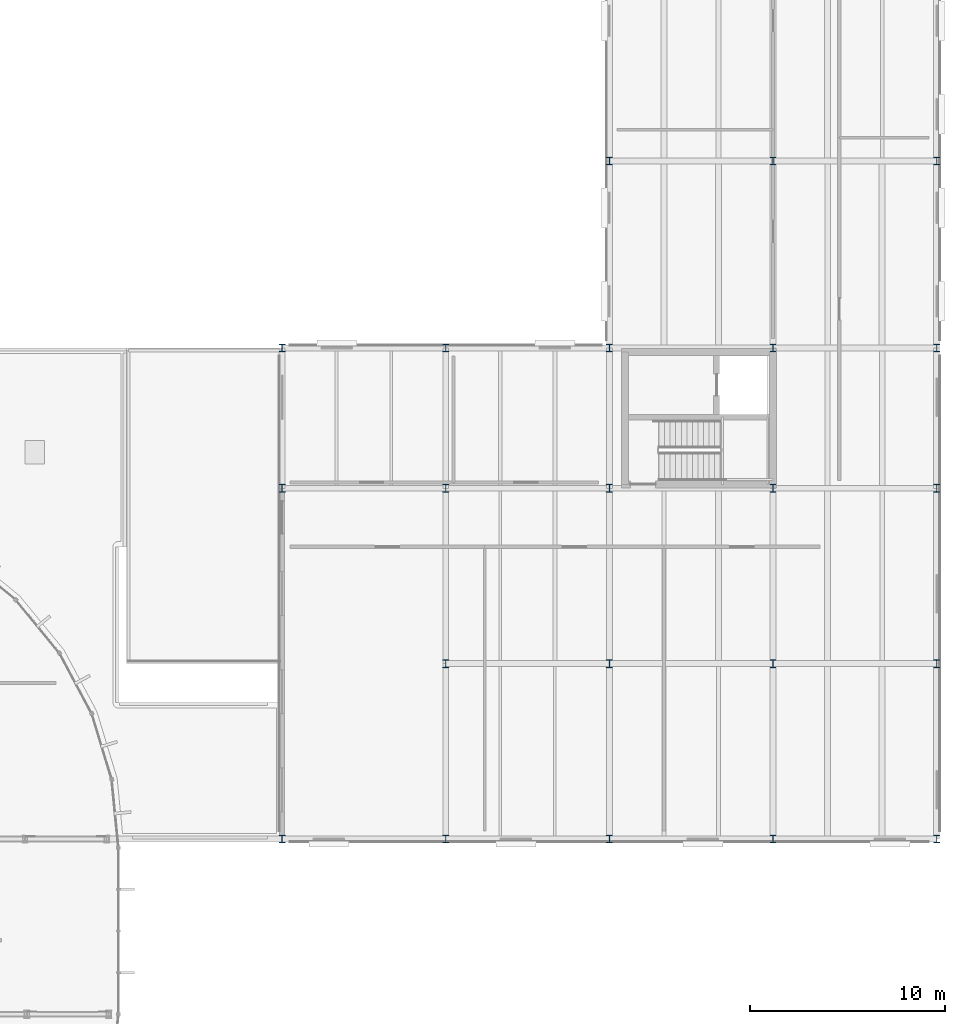
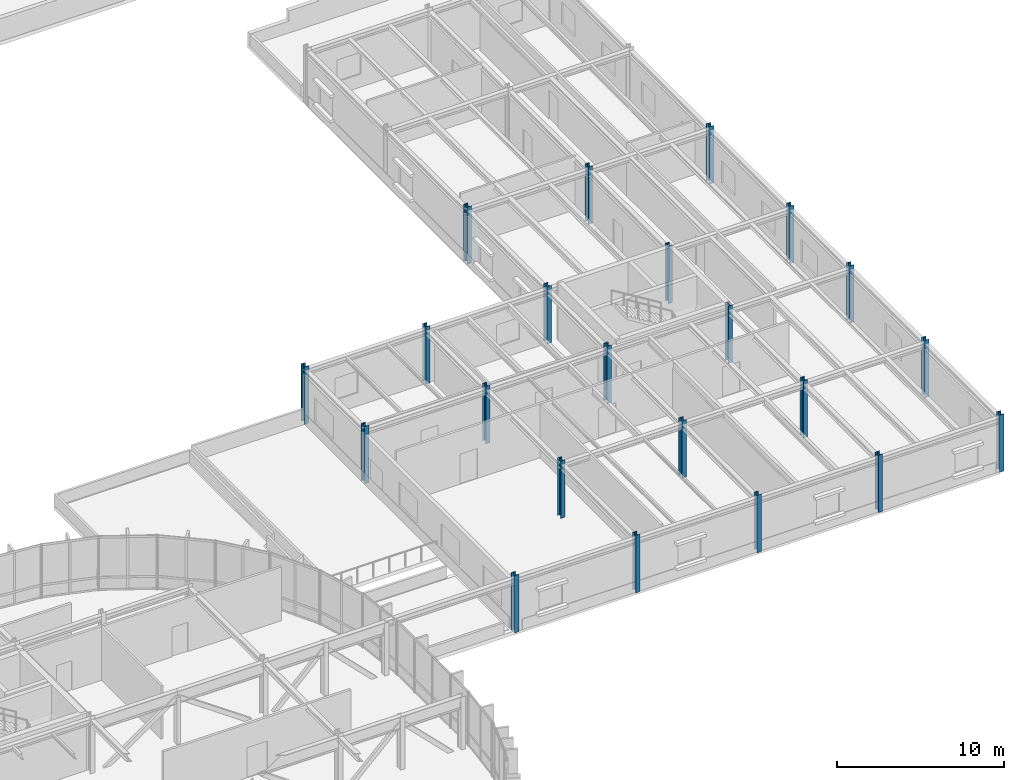
# One storey, part 7 of 69: 22 columns.
"""IFC4 building model written with IfcOpenShell, lengths in metres."""

from ifc_helpers import new_model, si_unit, direction, frame, origin, origin_2d, place, context, subcontext, project, spatial, i_section, extrude, material, material_profile, profile_set, type_object, element, save


model = new_model("IFC4")

# Units and contexts
model_context = context("Model", 3, precision=1e-05, world=origin(), true_north=direction((0.0, 1.0)))
body_context = subcontext(model_context, "Body", "Model", "MODEL_VIEW")
ifc_project = project(units=[si_unit("LENGTHUNIT", "METRE"), si_unit("AREAUNIT", "SQUARE_METRE"), si_unit("VOLUMEUNIT", "CUBIC_METRE"), si_unit("PLANEANGLEUNIT", "RADIAN"), si_unit("MASSUNIT", "GRAM", prefix="KILO")], contexts=[model_context])

# Site, building, storey
site_placement = place(None, origin())
site = spatial("IfcSite", under=ifc_project, at=site_placement, CompositionType="ELEMENT")
building_placement = place(site_placement, origin())
building = spatial("IfcBuilding", under=site, at=building_placement, Name="Montealbar Specialist Clinic", CompositionType="ELEMENT")
storey_placement = place(building_placement, frame((0.0, 0.0, 9.60009765625)))
storey = spatial("IfcBuildingStorey", under=building, at=storey_placement, Name="L02", CompositionType="ELEMENT", Elevation=9.60009765625)

# Columns
ifc_material = material(Name="Steel S355", Category="steel")
ifc_material_profile_1 = material_profile(ifc_material, i_section(OverallWidth=0.300048828125, OverallDepth=0.39990234375, WebThickness=0.013427734375, FlangeThickness=0.02392578125, FilletRadius=0.027099609375, at=origin_2d()), Name="HEB 400", Category="steel")
ifc_profile_set_1 = profile_set([ifc_material_profile_1], Name="Steel S355")
column_type_1 = type_object("IfcColumnType", Name="COL-S-L02-STD", PredefinedType="COLUMN", material=ifc_profile_set_1)
for number, where, z_axis, x_axis, name in (
    (1, (136.800048828125, 36.0, 0.0), (0.0, 0.0, 1.0), (1.0, 0.0, 0.0), "Column 18/E L02"),
    (2, (136.800048828125, 45.0, 0.0), (0.0, 0.0, 1.0), (1.0, 0.0, 0.0), "Column 18/F L02"),
    (3, (145.199951171875, 36.0, 0.0), (0.0, 0.0, 1.0), (1.0, 0.0, 0.0), "Column 19/E L02"),
    (4, (145.199951171875, 45.0, 0.0), (0.0, 0.0, 1.0), (1.0, 0.0, 0.0), "Column 19/F L02"),
    (5, (153.60009765625, 36.0, 0.0), (0.0, 0.0, 1.0), (1.0, 0.0, 0.0), "Column 20/E L02"),
    (6, (153.60009765625, 45.0, 0.0), (0.0, 0.0, 1.0), (1.0, 0.0, 0.0), "Column 20/F L02"),
    (7, (153.60009765625, 52.199951171875, 0.0), (0.0, 0.0, 1.0), (1.0, 0.0, 0.0), "Column 20/G L02"),
    (8, (153.60009765625, 61.800048828125, 0.0), (0.0, 0.0, 1.0), (1.0, 0.0, 0.0), "Column 20/H L02"),
):
    element("IfcColumn", number, at=place(storey_placement, frame(where, z_axis=z_axis, x_axis=x_axis)), inside=storey, type_object=column_type_1, Name=name, PredefinedType="COLUMN", context=body_context, shape_type="SweptSolid", body=[
        extrude(i_section(OverallWidth=0.300048828125, OverallDepth=0.39990234375, WebThickness=0.013427734375, FlangeThickness=0.02392578125, FilletRadius=0.027099609375, at=origin_2d()), origin(), (0.0, 0.0, 1.0), 4.199951171875),
    ])
ifc_material_profile_2 = material_profile(ifc_material, i_section(OverallWidth=0.300048828125, OverallDepth=0.39990234375, WebThickness=0.013427734375, FlangeThickness=0.02392578125, FilletRadius=0.027099609375, at=origin_2d()), Name="HEB 400", Category="steel")
ifc_profile_set_2 = profile_set([ifc_material_profile_2], Name="Steel S355")
column_type_2 = type_object("IfcColumnType", Name="COL-S-L02-STD-EXT", PredefinedType="COLUMN", material=ifc_profile_set_2)
for number, where, z_axis, x_axis, name in (
    (9, (128.39990234375, 27.0, 0.0), (0.0, 0.0, 1.0), (1.0, 0.0, 0.0), "Column 17/D L02"),
    (10, (128.39990234375, 45.0, 0.0), (0.0, 0.0, 1.0), (1.0, 0.0, 0.0), "Column 17/F L02"),
    (11, (128.39990234375, 52.199951171875, 0.0), (0.0, 0.0, 1.0), (1.0, 0.0, 0.0), "Column 17/G L02"),
    (12, (136.800048828125, 27.0, 0.0), (0.0, 0.0, 1.0), (1.0, 0.0, 0.0), "Column 18/D L02"),
    (13, (136.800048828125, 52.199951171875, 0.0), (0.0, 0.0, 1.0), (1.0, 0.0, 0.0), "Column 18/G L02"),
    (14, (145.199951171875, 27.0, 0.0), (0.0, 0.0, 1.0), (1.0, 0.0, 0.0), "Column 19/D L02"),
    (15, (145.199951171875, 52.199951171875, 0.0), (0.0, 0.0, 1.0), (1.0, 0.0, 0.0), "Column 19/G L02"),
    (16, (145.199951171875, 61.800048828125, 0.0), (0.0, 0.0, 1.0), (1.0, 0.0, 0.0), "Column 19/H L02"),
    (17, (153.60009765625, 27.0, 0.0), (0.0, 0.0, 1.0), (1.0, 0.0, 0.0), "Column 20/D L02"),
    (18, (162.0, 27.0, 0.0), (0.0, 0.0, 1.0), (1.0, 0.0, 0.0), "Column 21/D L02"),
    (19, (162.0, 36.0, 0.0), (0.0, 0.0, 1.0), (1.0, 0.0, 0.0), "Column 21/E L02"),
    (20, (162.0, 45.0, 0.0), (0.0, 0.0, 1.0), (1.0, 0.0, 0.0), "Column 21/F L02"),
    (21, (162.0, 52.199951171875, 0.0), (0.0, 0.0, 1.0), (1.0, 0.0, 0.0), "Column 21/G L02"),
    (22, (162.0, 61.800048828125, 0.0), (0.0, 0.0, 1.0), (1.0, 0.0, 0.0), "Column 21/H L02"),
):
    element("IfcColumn", number, at=place(storey_placement, frame(where, z_axis=z_axis, x_axis=x_axis)), inside=storey, type_object=column_type_2, Name=name, PredefinedType="COLUMN", context=body_context, shape_type="SweptSolid", body=[
        extrude(i_section(OverallWidth=0.300048828125, OverallDepth=0.39990234375, WebThickness=0.013427734375, FlangeThickness=0.02392578125, FilletRadius=0.027099609375, at=origin_2d()), origin(), (0.0, 0.0, 1.0), 4.199951171875),
    ])

save(model, "model.ifc")
